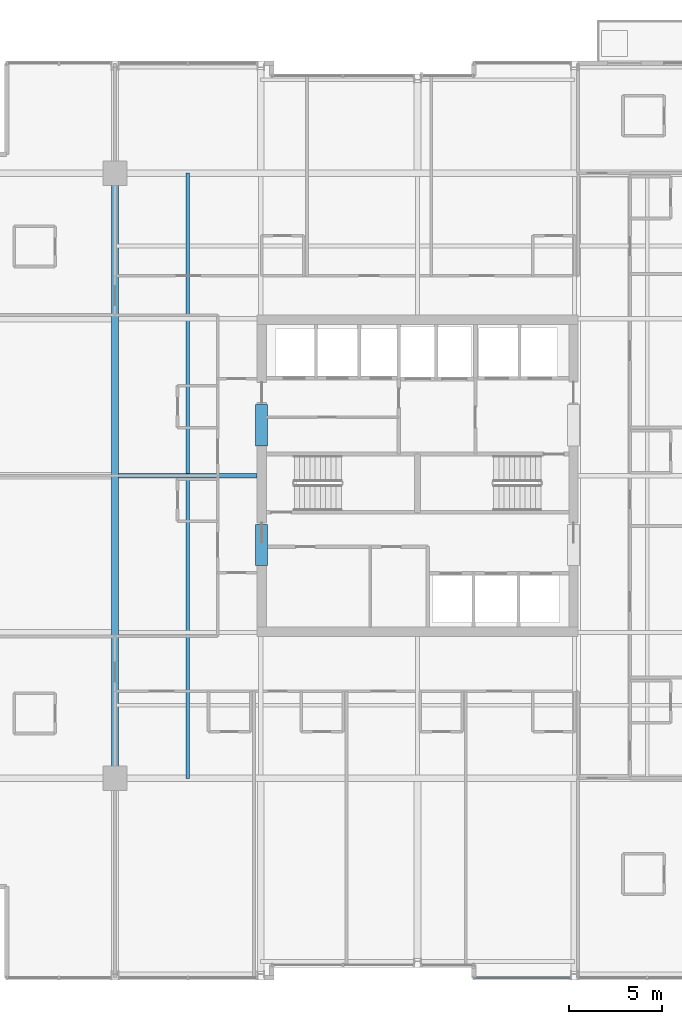
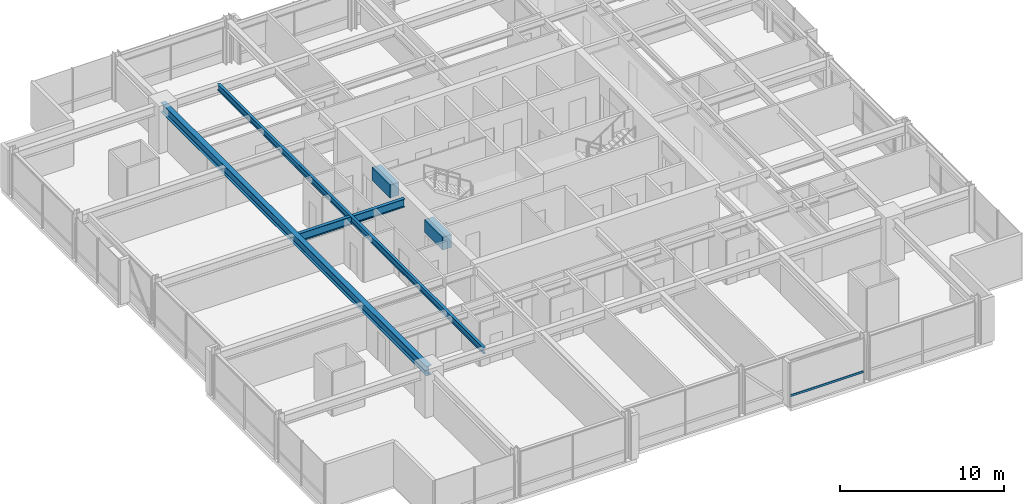
# One storey, part 10 of 34: 5 beams, 1 member, 1 element without a shape of its own.
"""IFC4 building model written with IfcOpenShell, lengths in metres."""

from ifc_helpers import new_model, si_unit, direction, frame, origin, origin_2d, place, context, subcontext, project, spatial, rectangle, hollow_rectangle, i_section, extrude, material, layer, layer_set, material_profile, profile_set, type_object, element, aggregate, save


model = new_model("IFC4")

# Units and contexts
model_context = context("Model", 3, precision=1e-05, world=origin(), true_north=direction((0.0, 1.0)))
body_context = subcontext(model_context, "Body", "Model", "MODEL_VIEW")
ifc_project = project(units=[si_unit("LENGTHUNIT", "METRE"), si_unit("AREAUNIT", "SQUARE_METRE"), si_unit("VOLUMEUNIT", "CUBIC_METRE"), si_unit("PLANEANGLEUNIT", "RADIAN"), si_unit("MASSUNIT", "GRAM", prefix="KILO")], contexts=[model_context])

# Site, building, storey
site_placement = place(None, origin())
site = spatial("IfcSite", under=ifc_project, at=site_placement, CompositionType="ELEMENT")
building_placement = place(site_placement, origin())
building = spatial("IfcBuilding", under=site, at=building_placement, Name="Drelvath Grand Hotel", CompositionType="ELEMENT")
storey_placement = place(building_placement, frame((0.0, 0.0, 175.25)))
storey = spatial("IfcBuildingStorey", under=building, at=storey_placement, Name="L45", CompositionType="ELEMENT", Elevation=175.25)

# Beams
ifc_material_1 = material(Name="Steel ASTM A992 Gr 50", Category="steel")
ifc_material_profile_1 = material_profile(ifc_material_1, i_section(OverallWidth=0.19140625, OverallDepth=0.4599609375, WebThickness=0.010009765625, FlangeThickness=0.01611328125, FilletRadius=0.01611328125, at=origin_2d()), Name="W18X55")
ifc_profile_set_1 = profile_set([ifc_material_profile_1], Name="Steel ASTM A992 Gr 50")
beam_type_1 = type_object("IfcBeamType", Name="Composite Floor Joist W18X55", PredefinedType="JOIST", material=ifc_profile_set_1)
beam_1_placement = place(storey_placement, frame((-12.300048828125, 10.800048828125, 3.06005859375), z_axis=(0.0, 1.0, 0.0), x_axis=(-1.0, 0.0, 0.0)))
element("IfcBeam", 1, at=beam_1_placement, inside=storey, type_object=beam_type_1, Name="L45 Wing Floor Joist J3", PredefinedType="JOIST", context=body_context, shape_type="SweptSolid", body=[
    extrude(i_section(OverallWidth=0.19140625, OverallDepth=0.4599609375, WebThickness=0.010009765625, FlangeThickness=0.01611328125, FilletRadius=0.01611328125, at=origin_2d()), origin(), (0.0, 0.0, 1.0), 32.39990234375),
])
ifc_material_2 = material(Name="Concrete f'c 55 MPa", Category="concrete")
ifc_material_profile_2 = material_profile(ifc_material_2, rectangle(XDim=0.64990234375, YDim=0.949951171875, at=origin_2d()), Name="CB650X950")
ifc_profile_set_2 = profile_set([ifc_material_profile_2], Name="Concrete f'c 55 MPa")
beam_type_2 = type_object("IfcBeamType", Name="Core Coupling Lintel CB650X950", PredefinedType="LINTEL", material=ifc_profile_set_2)
for number, where, z_axis, x_axis, name in (
    (2, (-8.35009765625, 22.199951171875, 2.81494140625), (0.0, 1.0, 0.0), (-1.0, 0.0, 0.0), "L45 Core Coupling Lintel WS"),
    (3, (-8.35009765625, 28.60009765625, 2.81494140625), (0.0, 1.0, 0.0), (-1.0, 0.0, 0.0), "L45 Core Coupling Lintel WN"),
):
    element("IfcBeam", number, at=place(storey_placement, frame(where, z_axis=z_axis, x_axis=x_axis)), inside=storey, type_object=beam_type_2, Name=name, PredefinedType="LINTEL", context=body_context, shape_type="SweptSolid", body=[
        extrude(rectangle(XDim=0.64990234375, YDim=0.949951171875, at=origin_2d()), origin(), (0.0, 0.0, 1.0), 2.199951171875),
    ])

# Curtain wall, member
ifc_material_3 = material(Name="Brushed Pale-Silver Anodised Aluminium Frame", Category="aluminium")
ifc_layer = layer(ifc_material_3, 0.199951171875)
ifc_layer_set = layer_set([ifc_layer], Name="Brushed Pale-Silver Anodised Aluminium Frame")
curtain_wall_type = type_object("IfcCurtainWallType", Name="Stick Curtain Wall CW-04 Brushed Silver Upper-Mid", PredefinedType="NOTDEFINED", material=ifc_layer_set)
curtain_wall_placement = place(storey_placement, origin())
curtain_wall = element("IfcCurtainWall", 4, at=curtain_wall_placement, inside=storey, type_object=curtain_wall_type, Name="L45 CW-04 Curtain Wall CW04-L45-SE1", PredefinedType="NOTDEFINED")
ifc_material_profile_3 = material_profile(ifc_material_3, hollow_rectangle(XDim=0.06494140625, YDim=0.159912109375, WallThickness=0.00390625, at=origin_2d()), Name="HSS160X65X4")
ifc_profile_set_3 = profile_set([ifc_material_profile_3], Name="Brushed Pale-Silver Anodised Aluminium Frame")
member_type = type_object("IfcMemberType", Name="Curtain Wall Horizontal Transom CW-04 HSS160X65X4", PredefinedType="USERDEFINED", material=ifc_profile_set_3)
member_placement = place(storey_placement, frame((8.159912109375, 0.1201171875, 0.822509765625), z_axis=(-1.0, 0.0, 0.0), x_axis=(0.0, -1.0, 0.0)))
member = element("IfcMember", 5, at=member_placement, type_object=member_type, Name="CW04-L45-SE1 Sill Transom", ObjectType="TRANSOM", PredefinedType="USERDEFINED", context=body_context, shape_type="SweptSolid", body=[
    extrude(hollow_rectangle(XDim=0.06494140625, YDim=0.159912109375, WallThickness=0.00390625, at=origin_2d()), origin(), (0.0, 0.0, 1.0), 5.119873046875),
])
aggregate(curtain_wall, [member])

# Beams
ifc_material_profile_4 = material_profile(ifc_material_1, i_section(OverallWidth=0.228271484375, OverallDepth=0.607666015625, WebThickness=0.01123046875, FlangeThickness=0.017333984375, FilletRadius=0.02001953125, at=origin_2d()), Name="W24X76")
ifc_profile_set_4 = profile_set([ifc_material_profile_4], Name="Steel ASTM A992 Gr 50")
beam_type_3 = type_object("IfcBeamType", Name="Primary Floor Girder W24X76", PredefinedType="BEAM", material=ifc_profile_set_4)
beam_2_placement = place(storey_placement, frame((-16.022705078125, 27.0, 2.986083984375), z_axis=(1.0, 0.0, 0.0), x_axis=(0.0, 1.0, 0.0)))
element("IfcBeam", 6, at=beam_2_placement, inside=storey, type_object=beam_type_3, Name="L45 West Core Tie E", PredefinedType="BEAM", context=body_context, shape_type="SweptSolid", body=[
    extrude(i_section(OverallWidth=0.228271484375, OverallDepth=0.607666015625, WebThickness=0.01123046875, FlangeThickness=0.017333984375, FilletRadius=0.02001953125, at=origin_2d()), origin(), (0.0, 0.0, 1.0), 7.422607421875),
])
ifc_material_profile_5 = material_profile(ifc_material_1, i_section(OverallWidth=0.354736328125, OverallDepth=0.695556640625, WebThickness=0.015380859375, FlangeThickness=0.025146484375, FilletRadius=0.02392578125, at=origin_2d()), Name="W27X146")
ifc_profile_set_5 = profile_set([ifc_material_profile_5], Name="Steel ASTM A992 Gr 50")
beam_type_4 = type_object("IfcBeamType", Name="Primary Floor Girder W27X146", PredefinedType="BEAM", material=ifc_profile_set_5)
beam_3_placement = place(storey_placement, frame((-16.199951171875, 10.800048828125, 2.9423828125), z_axis=(0.0, 1.0, 0.0), x_axis=(-1.0, 0.0, 0.0)))
element("IfcBeam", 7, at=beam_3_placement, inside=storey, type_object=beam_type_4, Name="L45 Mega Ring Girder West", PredefinedType="BEAM", context=body_context, shape_type="SweptSolid", body=[
    extrude(i_section(OverallWidth=0.354736328125, OverallDepth=0.695556640625, WebThickness=0.015380859375, FlangeThickness=0.025146484375, FilletRadius=0.02392578125, at=origin_2d()), origin(), (0.0, 0.0, 1.0), 32.39990234375),
])

save(model, "model.ifc")
